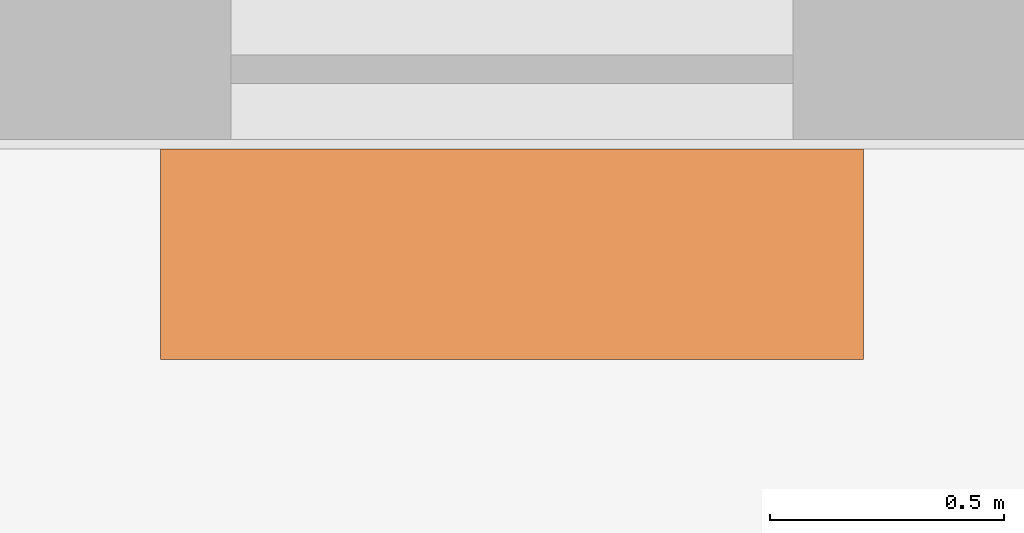
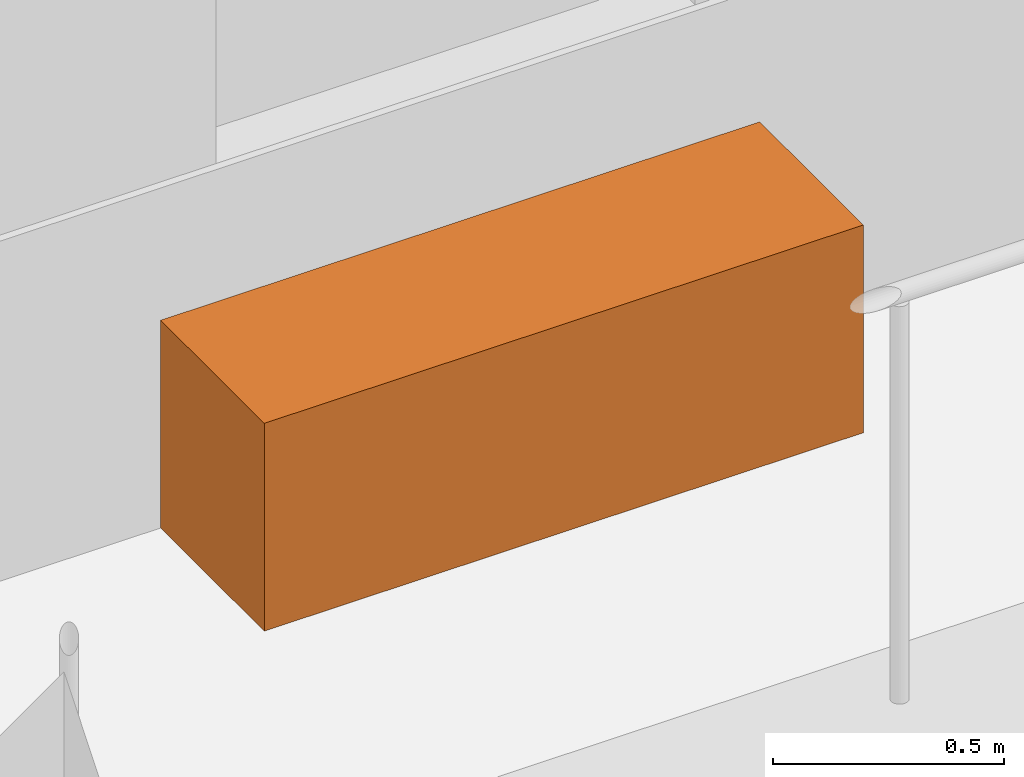
# One storey, part 13 of 13: 1 proxy.
"""IFC4 building model written with IfcOpenShell, lengths in metres."""

import ifcopenshell
import ifcopenshell.guid

model = None  # the IFC model being written
_history = None  # IfcOwnerHistory: only IFC2X3 demands one
_inside = {}  # id of a spatial element -> (the spatial element, [elements in it])
_under = {}  # id of a project, library or spatial element -> (it, [spatial elements below it])
_declared = {}  # id of a project -> (the project, [libraries it declares])
_typed = {}  # id of a type object -> (the type object, [elements of that type])
_made_of = {}  # id of a material, layer set ... -> (it, [elements and type objects made of it])


def new_model(schema):
    """Start an empty IFC model of exactly this schema.

    Asked for "IFC4X3", IfcOpenShell would pick the latest addendum, in which some entities
    have other attributes; the version numbers below select the first issue.
    IFC2X3 requires an IfcOwnerHistory on every rooted entity: one is made here for all.
    """
    global model, _history
    if schema == "IFC4X3":
        model = ifcopenshell.file(schema_version=(4, 3, 0, 0))
    else:
        model = ifcopenshell.file(schema=schema)
    _inside.clear()
    _under.clear()
    _declared.clear()
    _typed.clear()
    _made_of.clear()
    _history = None
    if model.schema == "IFC2X3":
        org = make("IfcOrganization", Name="unknown")
        user = make(
            "IfcPersonAndOrganization",
            ThePerson=make("IfcPerson", FamilyName="unknown"),
            TheOrganization=org,
        )
        app = make(
            "IfcApplication",
            ApplicationDeveloper=org,
            Version="unknown",
            ApplicationFullName="unknown",
            ApplicationIdentifier="unknown",
        )
        _history = make(
            "IfcOwnerHistory",
            OwningUser=user,
            OwningApplication=app,
            ChangeAction="ADDED",
            CreationDate=0,
        )
    return model


def make(cls, **values):
    """One entity of the class cls with the attributes given. An attribute that is None is left unset."""
    return model.create_entity(
        cls, **{name: value for name, value in values.items() if value is not None}
    )


def rooted(cls, **values):
    """An entity with a GlobalId (a new one), such as an element, a storey or a relation."""
    return make(cls, GlobalId=ifcopenshell.guid.new(), OwnerHistory=_history, **values)


def si_unit(unit_type, name, prefix=None):
    """IfcSIUnit, for example si_unit("LENGTHUNIT", "METRE", prefix="MILLI")."""
    return make("IfcSIUnit", UnitType=unit_type, Prefix=prefix, Name=name)


def assignment(units):
    """IfcUnitAssignment: the units of a project."""
    return None if units is None else make("IfcUnitAssignment", Units=units)


def point(xyz):
    """IfcCartesianPoint."""
    return None if xyz is None else make("IfcCartesianPoint", Coordinates=xyz)


def direction(xyz):
    """IfcDirection."""
    return None if xyz is None else make("IfcDirection", DirectionRatios=xyz)


def frame(location, z_axis=None, x_axis=None):
    """IfcAxis2Placement3D, a coordinate frame: its origin and axes. An axis left out is left unset."""
    return make(
        "IfcAxis2Placement3D",
        Location=point(location),
        Axis=direction(z_axis),
        RefDirection=direction(x_axis),
    )


def frame_2d(location, x_axis=None):
    """IfcAxis2Placement2D, a coordinate frame in the plane: its origin and x axis."""
    return make(
        "IfcAxis2Placement2D", Location=point(location), RefDirection=direction(x_axis)
    )


def origin():
    """The frame at (0, 0, 0) with its axes left unset."""
    return frame((0.0, 0.0, 0.0))


def origin_2d():
    """The frame at (0, 0) in the plane with its x axis left unset."""
    return frame_2d((0.0, 0.0))


def place(relative_to, where):
    """IfcLocalPlacement: puts the frame where relative to a parent placement (None: the world)."""
    return make(
        "IfcLocalPlacement", PlacementRelTo=relative_to, RelativePlacement=where
    )


def context(
    kind, dimensions, precision=None, world=None, true_north=None, identifier=None
):
    """IfcGeometricRepresentationContext, for example the 3D "Model" context."""
    return make(
        "IfcGeometricRepresentationContext",
        ContextIdentifier=identifier,
        ContextType=kind,
        CoordinateSpaceDimension=dimensions,
        Precision=precision,
        WorldCoordinateSystem=world,
        TrueNorth=true_north,
    )


def subcontext(parent, identifier, kind, view, scale=None):
    """IfcGeometricRepresentationSubContext, for example "Body" below "Model"."""
    return make(
        "IfcGeometricRepresentationSubContext",
        ContextIdentifier=identifier,
        ContextType=kind,
        ParentContext=parent,
        TargetScale=scale,
        TargetView=view,
    )


def project(units=None, contexts=None):
    """IfcProject with its units and contexts."""
    return rooted(
        "IfcProject",
        Name="project",
        RepresentationContexts=contexts,
        UnitsInContext=assignment(units),
    )


def spatial(cls, under=None, at=None, **own):
    """A site, building, storey or space (cls), placed at a placement, below another one or the project."""
    s = rooted(cls, ObjectPlacement=at, **own)
    if under is not None:
        _under.setdefault(under.id(), (under, []))[1].append(s)
    return s


def profile(cls, at=None, kind="AREA", **sizes):
    """A parametric profile (cls). Its sizes go by their IFC names, for example OverallWidth=200.0."""
    return make(cls, ProfileType=kind, Position=at, **sizes)


def rectangle(**sizes):
    """IfcRectangleProfileDef."""
    return profile("IfcRectangleProfileDef", **sizes)


def extrude(swept, where, along, depth):
    """IfcExtrudedAreaSolid: the profile swept, set in the frame where, extruded along a direction by depth."""
    return make(
        "IfcExtrudedAreaSolid",
        SweptArea=swept,
        Position=where,
        ExtrudedDirection=direction(along),
        Depth=depth,
    )


def shape(context_of_items, identifier, shape_type, items):
    """IfcShapeRepresentation: the items that make up one representation, for example the "Body"."""
    return make(
        "IfcShapeRepresentation",
        ContextOfItems=context_of_items,
        RepresentationIdentifier=identifier,
        RepresentationType=shape_type,
        Items=items,
    )


def made_of(thing, what):
    """Note that an element or type object is made of a material, layer set ...; save() writes the relation."""
    if what is not None:
        _made_of.setdefault(what.id(), (what, []))[1].append(thing)
    return thing


def element(
    cls,
    number,
    at=None,
    inside=None,
    cuts=None,
    type_object=None,
    material=None,
    context=None,
    identifier="Body",
    shape_type=None,
    held_by="IfcProductDefinitionShape",
    body=None,
    shapes=None,
    **own,
):
    """One element of the class cls, such as IfcWall. Its Tag is "e" and its number.

    at: its placement. inside: the storey or other place that contains it. cuts: it is an
    opening in that element (IfcRelVoidsElement). A single representation is given by context,
    identifier, shape_type and body (its items); several are given by shapes. held_by: the class
    of the entity that holds the representations. save() writes the other relations.
    """
    e = rooted(cls, Tag="e%d" % number, ObjectPlacement=at, **own)
    if body is not None:
        shapes = [shape(context, identifier, shape_type, body)]
    if shapes is not None:
        e.Representation = make(held_by, Representations=shapes)
    if inside is not None:
        _inside.setdefault(inside.id(), (inside, []))[1].append(e)
    if cuts is not None:
        rooted(
            "IfcRelVoidsElement", RelatingBuildingElement=cuts, RelatedOpeningElement=e
        )
    if type_object is not None:
        _typed.setdefault(type_object.id(), (type_object, []))[1].append(e)
    return made_of(e, material)


def aggregate(whole, parts):
    """IfcRelAggregates: a whole, such as a stair, and the parts it consists of."""
    return rooted("IfcRelAggregates", RelatingObject=whole, RelatedObjects=parts)


def save(model, path):
    """Write the relations noted so far, then the file.

    IfcRelAggregates (storeys below a building ...), IfcRelContainedInSpatialStructure (elements
    in a storey), IfcRelDefinesByType, IfcRelAssociatesMaterial and IfcRelDeclares: one each for
    every whole, place, type object, material and project.
    """
    for whole, parts in _under.values():
        aggregate(whole, parts)
    for where, things in _inside.values():
        rooted(
            "IfcRelContainedInSpatialStructure",
            RelatedElements=things,
            RelatingStructure=where,
        )
    for kind, things in _typed.values():
        rooted("IfcRelDefinesByType", RelatedObjects=things, RelatingType=kind)
    for what, things in _made_of.values():
        rooted("IfcRelAssociatesMaterial", RelatedObjects=things, RelatingMaterial=what)
    for by, libraries in _declared.values():
        rooted("IfcRelDeclares", RelatingContext=by, RelatedDefinitions=libraries)
    model.write(path)


model = new_model("IFC4")

# Units and contexts
model_context = context("Model", 3, precision=1e-05, world=origin(), true_north=direction((0.0, 1.0)))
body_context = subcontext(model_context, "Body", "Model", "MODEL_VIEW")
ifc_project = project(units=[si_unit("LENGTHUNIT", "METRE"), si_unit("AREAUNIT", "SQUARE_METRE"), si_unit("VOLUMEUNIT", "CUBIC_METRE"), si_unit("PLANEANGLEUNIT", "RADIAN"), si_unit("MASSUNIT", "GRAM", prefix="KILO")], contexts=[model_context])

# Site, building, storey
site_placement = place(None, origin())
site = spatial("IfcSite", under=ifc_project, at=site_placement, CompositionType="ELEMENT")
building_placement = place(site_placement, origin())
building = spatial("IfcBuilding", under=site, at=building_placement, Name="Candeia Pilgrim Tower and Theatre", CompositionType="ELEMENT")
storey_placement = place(building_placement, frame((0.0, 0.0, 91.0)))
storey = spatial("IfcBuildingStorey", under=building, at=storey_placement, Name="L20", CompositionType="ELEMENT", Elevation=91.0)

# Proxy
proxy_placement = place(storey_placement, frame((102.89990234375, 99.2548828125, 0.0), z_axis=(0.0, 0.0, 1.0), x_axis=(1.0, 0.0, 0.0)))
element("IfcBuildingElementProxy", 1, at=proxy_placement, inside=storey, Name="Planter", ObjectType="PLANTER", PredefinedType="USERDEFINED", context=body_context, shape_type="SweptSolid", body=[
    extrude(rectangle(XDim=1.5, YDim=0.449951171875, at=origin_2d()), origin(), (0.0, 0.0, 1.0), 0.550048828125),
])

save(model, "model.ifc")
